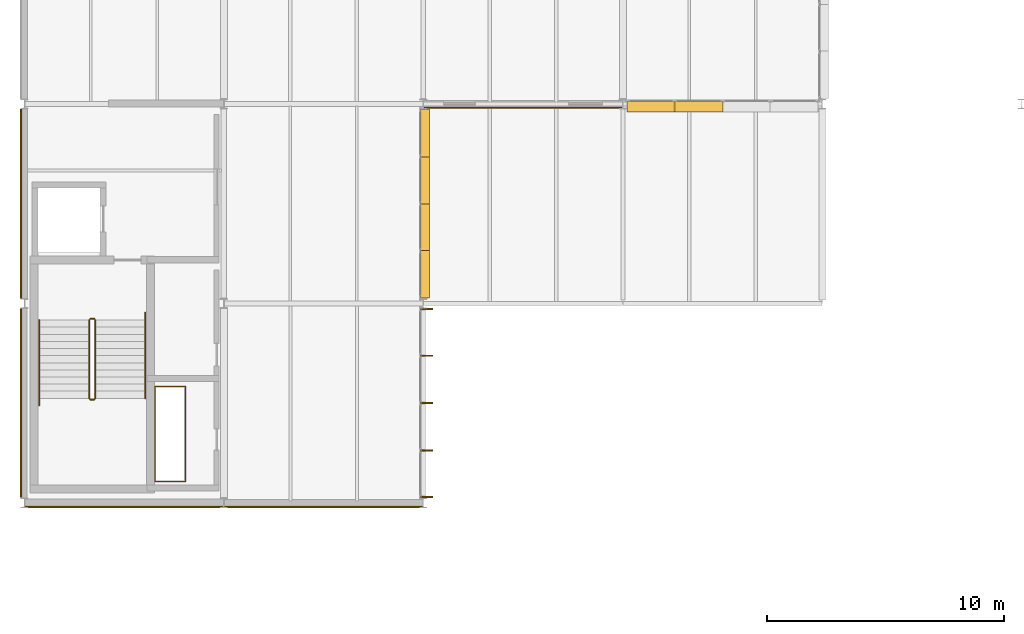
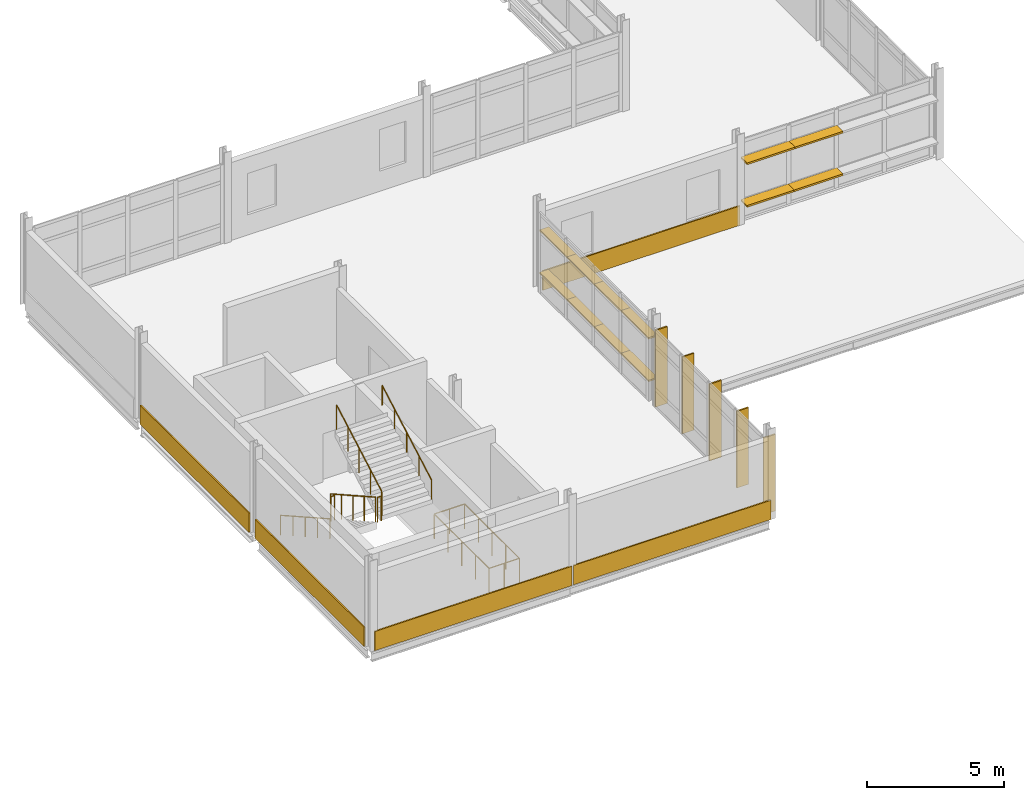
# One storey, part 139 of 151: 17 shading devices, 7 railings, 5 coverings.
"""IFC4 building model written with IfcOpenShell, lengths in metres."""

from ifc_helpers import new_model, si_unit, direction, frame, origin, origin_2d, place, context, subcontext, project, spatial, rectangle, circle, extrude, material, layer, layer_set, type_object, element, save


model = new_model("IFC4")

# Units and contexts
model_context = context("Model", 3, precision=1e-05, world=origin(), true_north=direction((0.0, 1.0)))
body_context = subcontext(model_context, "Body", "Model", "MODEL_VIEW")
ifc_project = project(units=[si_unit("LENGTHUNIT", "METRE"), si_unit("AREAUNIT", "SQUARE_METRE"), si_unit("VOLUMEUNIT", "CUBIC_METRE"), si_unit("PLANEANGLEUNIT", "RADIAN"), si_unit("MASSUNIT", "GRAM", prefix="KILO")], contexts=[model_context])

# Site, building, storey
site_placement = place(None, origin())
site = spatial("IfcSite", under=ifc_project, at=site_placement, CompositionType="ELEMENT")
building_placement = place(site_placement, origin())
building = spatial("IfcBuilding", under=site, at=building_placement, Name="Mersafa Astral City Hall", CompositionType="ELEMENT")
storey_placement = place(building_placement, frame((0.0, 0.0, 9.89990234375)))
storey = spatial("IfcBuildingStorey", under=building, at=storey_placement, Name="L02", CompositionType="ELEMENT", Elevation=9.89990234375)

# Coverings
ifc_material_1 = material(Name="Cairo Mokattam buff limestone cladding", Category="masonry")
ifc_layer = layer(ifc_material_1, 0.06005859375, Name="Cairo Mokattam buff limestone cladding")
ifc_layer_set = layer_set([ifc_layer], Name="Cairo Mokattam buff limestone cladding — ENV-COV-LIMESTONE-60")
covering_type = type_object("IfcCoveringType", Name="ENV-COV-LIMESTONE-60", PredefinedType="CLADDING", material=ifc_layer_set)
for number, where, z_axis, x_axis, name in (
    (1, (8.2529296875, 88.199951171875, 0.0), (0.0, 0.0, 1.0), (0.0, -1.0, 0.0), "L02 Cairo buff limestone rainscreen cladding 195"),
    (2, (8.260498046875, 79.800048828125, 0.0), (0.0, 0.0, 1.0), (0.0, -1.0, 0.0), "L02 Cairo buff limestone rainscreen cladding 196"),
):
    element("IfcCovering", number, at=place(storey_placement, frame(where, z_axis=z_axis, x_axis=x_axis)), inside=storey, type_object=covering_type, Name=name, PredefinedType="CLADDING", context=body_context, shape_type="SweptSolid", body=[
        extrude(rectangle(XDim=7.947998046875, YDim=0.06005859375, at=origin_2d()), origin(), (0.0, 0.0, 1.0), 0.860107421875),
    ])
for number, where, z_axis, x_axis, name in (
    (3, (12.60009765625, 75.423095703125, 0.0), (0.0, 0.0, 1.0), (1.0, 0.0, 0.0), "L02 Cairo buff limestone rainscreen cladding 197"),
    (4, (21.0, 75.430419921875, 0.0), (0.0, 0.0, 1.0), (1.0, 0.0, 0.0), "L02 Cairo buff limestone rainscreen cladding 198"),
    (5, (29.39990234375, 92.238037109375, 0.0), (0.0, 0.0, 1.0), (1.0, 0.0, 0.0), "L02 Cairo buff limestone rainscreen cladding 199"),
):
    element("IfcCovering", number, at=place(storey_placement, frame(where, z_axis=z_axis, x_axis=x_axis)), inside=storey, type_object=covering_type, Name=name, PredefinedType="CLADDING", context=body_context, shape_type="SweptSolid", body=[
        extrude(rectangle(XDim=8.323974609375, YDim=0.06005859375, at=origin_2d()), origin(), (0.0, 0.0, 1.0), 0.860107421875),
    ])

# Shading devices
ifc_material_2 = material(Name="Anodised bronze aluminium solar fin", Category="aluminium")
shading_device_type_1 = type_object("IfcShadingDeviceType", Name="ENV-SHD-FIN-500A", PredefinedType="USERDEFINED", material=ifc_material_2)
for number, where, z_axis, x_axis, name in (
    (6, (25.344970703125, 75.842041015625, -0.01513671875), (0.0, 0.0, 1.0), (0.0, 1.0, 0.0), "L02 Vertical bronze solar fin 847"),
    (7, (25.344970703125, 77.805908203125, -0.01513671875), (0.0, 0.0, 1.0), (0.0, 1.0, 0.0), "L02 Vertical bronze solar fin 848"),
    (8, (25.344970703125, 79.800048828125, -0.01513671875), (0.0, 0.0, 1.0), (0.0, 1.0, 0.0), "L02 Vertical bronze solar fin 849"),
    (9, (25.344970703125, 81.7939453125, -0.01513671875), (0.0, 0.0, 1.0), (0.0, 1.0, 0.0), "L02 Vertical bronze solar fin 850"),
    (10, (25.344970703125, 83.758056640625, -0.01513671875), (0.0, 0.0, 1.0), (0.0, 1.0, 0.0), "L02 Vertical bronze solar fin 851"),
):
    element("IfcShadingDevice", number, at=place(storey_placement, frame(where, z_axis=z_axis, x_axis=x_axis)), inside=storey, type_object=shading_device_type_1, Name=name, ObjectType="FIN", PredefinedType="USERDEFINED", context=body_context, shape_type="SweptSolid", body=[
        extrude(rectangle(XDim=0.06005859375, YDim=0.5, at=origin_2d()), origin(), (0.0, 0.0, 1.0), 3.422119140625),
    ])
ifc_material_3 = material(Name="Kiln-dried cedar timber brise-soleil blade", Category="wood")
shading_device_type_2 = type_object("IfcShadingDeviceType", Name="ENV-SHD-LOUVRE-380", PredefinedType="JALOUSIE", material=ifc_material_3)
shading_device_1_placement = place(storey_placement, frame((25.280029296875, 85.22412109375, 0.81494140625), z_axis=(0.0, 0.0, 1.0), x_axis=(0.0, 1.0, 0.0)))
element("IfcShadingDevice", 11, at=shading_device_1_placement, inside=storey, type_object=shading_device_type_2, Name="L02 Horizontal cedar brise-soleil louvre 852", PredefinedType="JALOUSIE", context=body_context, shape_type="SweptSolid", body=[
    extrude(rectangle(XDim=2.00390625, YDim=0.3798828125, at=origin_2d()), origin(), (0.0, 0.0, 1.0), 0.070068359375),
])
for number, where, z_axis, x_axis, name in (
    (12, (25.280029296875, 87.202880859375, 0.81494140625), (0.0, 0.0, 1.0), (0.0, 1.0, 0.0), "L02 Horizontal cedar brise-soleil louvre 853"),
    (13, (25.280029296875, 89.197021484375, 0.81494140625), (0.0, 0.0, 1.0), (0.0, 1.0, 0.0), "L02 Horizontal cedar brise-soleil louvre 854"),
):
    element("IfcShadingDevice", number, at=place(storey_placement, frame(where, z_axis=z_axis, x_axis=x_axis)), inside=storey, type_object=shading_device_type_2, Name=name, PredefinedType="JALOUSIE", context=body_context, shape_type="SweptSolid", body=[
        extrude(rectangle(XDim=2.033935546875, YDim=0.3798828125, at=origin_2d()), origin(), (0.0, 0.0, 1.0), 0.070068359375),
    ])
for number, where, z_axis, x_axis, name in (
    (14, (25.280029296875, 91.176025390625, 0.81494140625), (0.0, 0.0, 1.0), (0.0, 1.0, 0.0), "L02 Horizontal cedar brise-soleil louvre 855"),
    (15, (25.280029296875, 85.22412109375, 2.71484375), (0.0, 0.0, 1.0), (0.0, 1.0, 0.0), "L02 Horizontal cedar brise-soleil louvre 856"),
):
    element("IfcShadingDevice", number, at=place(storey_placement, frame(where, z_axis=z_axis, x_axis=x_axis)), inside=storey, type_object=shading_device_type_2, Name=name, PredefinedType="JALOUSIE", context=body_context, shape_type="SweptSolid", body=[
        extrude(rectangle(XDim=2.00390625, YDim=0.3798828125, at=origin_2d()), origin(), (0.0, 0.0, 1.0), 0.070068359375),
    ])
for number, where, z_axis, x_axis, name in (
    (16, (25.280029296875, 87.202880859375, 2.71484375), (0.0, 0.0, 1.0), (0.0, 1.0, 0.0), "L02 Horizontal cedar brise-soleil louvre 857"),
    (17, (25.280029296875, 89.197021484375, 2.71484375), (0.0, 0.0, 1.0), (0.0, 1.0, 0.0), "L02 Horizontal cedar brise-soleil louvre 858"),
):
    element("IfcShadingDevice", number, at=place(storey_placement, frame(where, z_axis=z_axis, x_axis=x_axis)), inside=storey, type_object=shading_device_type_2, Name=name, PredefinedType="JALOUSIE", context=body_context, shape_type="SweptSolid", body=[
        extrude(rectangle(XDim=2.033935546875, YDim=0.3798828125, at=origin_2d()), origin(), (0.0, 0.0, 1.0), 0.070068359375),
    ])
shading_device_2_placement = place(storey_placement, frame((25.280029296875, 91.176025390625, 2.71484375), z_axis=(0.0, 0.0, 1.0), x_axis=(0.0, 1.0, 0.0)))
element("IfcShadingDevice", 18, at=shading_device_2_placement, inside=storey, type_object=shading_device_type_2, Name="L02 Horizontal cedar brise-soleil louvre 859", PredefinedType="JALOUSIE", context=body_context, shape_type="SweptSolid", body=[
    extrude(rectangle(XDim=2.00390625, YDim=0.3798828125, at=origin_2d()), origin(), (0.0, 0.0, 1.0), 0.070068359375),
])
shading_device_type_3 = type_object("IfcShadingDeviceType", Name="ENV-SHD-LOUVRE-450", PredefinedType="JALOUSIE", material=ifc_material_3)
shading_device_3_placement = place(storey_placement, frame((34.78662109375, 92.284912109375, 0.81005859375), z_axis=(0.0, 0.0, 1.0), x_axis=(1.0, 0.0, 0.0)))
element("IfcShadingDevice", 19, at=shading_device_3_placement, inside=storey, type_object=shading_device_type_3, Name="L02 Horizontal cedar brise-soleil louvre 860", PredefinedType="JALOUSIE", context=body_context, shape_type="SweptSolid", body=[
    extrude(rectangle(XDim=2.029052734375, YDim=0.449951171875, at=origin_2d()), origin(), (0.0, 0.0, 1.0), 0.080078125),
])
shading_device_4_placement = place(storey_placement, frame((36.79052734375, 92.284912109375, 0.81005859375), z_axis=(0.0, 0.0, 1.0), x_axis=(1.0, 0.0, 0.0)))
element("IfcShadingDevice", 20, at=shading_device_4_placement, inside=storey, type_object=shading_device_type_3, Name="L02 Horizontal cedar brise-soleil louvre 861", PredefinedType="JALOUSIE", context=body_context, shape_type="SweptSolid", body=[
    extrude(rectangle(XDim=2.05908203125, YDim=0.449951171875, at=origin_2d()), origin(), (0.0, 0.0, 1.0), 0.080078125),
])
shading_device_5_placement = place(storey_placement, frame((34.78662109375, 92.284912109375, 2.7099609375), z_axis=(0.0, 0.0, 1.0), x_axis=(1.0, 0.0, 0.0)))
element("IfcShadingDevice", 21, at=shading_device_5_placement, inside=storey, type_object=shading_device_type_3, Name="L02 Horizontal cedar brise-soleil louvre 864", PredefinedType="JALOUSIE", context=body_context, shape_type="SweptSolid", body=[
    extrude(rectangle(XDim=2.029052734375, YDim=0.449951171875, at=origin_2d()), origin(), (0.0, 0.0, 1.0), 0.080078125),
])
shading_device_6_placement = place(storey_placement, frame((36.79052734375, 92.284912109375, 2.7099609375), z_axis=(0.0, 0.0, 1.0), x_axis=(1.0, 0.0, 0.0)))
element("IfcShadingDevice", 22, at=shading_device_6_placement, inside=storey, type_object=shading_device_type_3, Name="L02 Horizontal cedar brise-soleil louvre 865", PredefinedType="JALOUSIE", context=body_context, shape_type="SweptSolid", body=[
    extrude(rectangle(XDim=2.05908203125, YDim=0.449951171875, at=origin_2d()), origin(), (0.0, 0.0, 1.0), 0.080078125),
])

# Railings
ifc_material_4 = material(Name="Painted architectural steel stair guard balustrade", Category="steel")
railing_type_1 = type_object("IfcRailingType", Name="GUARD-RAIL", PredefinedType="BALUSTRADE", material=ifc_material_4)
railing_1_placement = place(storey_placement, frame((11.1298828125, 83.300048828125, 0.1689453125)))
element("IfcRailing", 23, at=railing_1_placement, inside=storey, type_object=railing_type_1, Name="L02 ST6 stair guard 1", PredefinedType="BALUSTRADE", context=body_context, shape_type="SweptSolid", body=[
    extrude(circle(Radius=0.02392578125, at=origin_2d()), frame((0.0, 0.0, 1.09619140625), z_axis=(0.0, -0.871584147158, 0.490245932592), x_axis=(1.0, 0.0, 0.0)), (0.0, 0.0, 1.0), 3.786376953125),
    extrude(circle(Radius=0.02099609375, at=origin_2d()), origin(), (0.0, 0.0, 1.0), 1.072021484375),
    extrude(circle(Radius=0.02099609375, at=origin_2d()), frame((0.0, -0.824951171875, 0.464111328125)), (0.0, 0.0, 1.0), 1.072021484375),
    extrude(circle(Radius=0.02099609375, at=origin_2d()), frame((0.0, -1.64990234375, 0.92822265625)), (0.0, 0.0, 1.0), 1.072021484375),
    extrude(circle(Radius=0.02099609375, at=origin_2d()), frame((0.0, -2.47509765625, 1.39208984375)), (0.0, 0.0, 1.0), 1.072021484375),
    extrude(circle(Radius=0.02099609375, at=origin_2d()), frame((0.0, -3.300048828125, 1.856201171875)), (0.0, 0.0, 1.0), 1.072021484375),
])
railing_2_placement = place(storey_placement, frame((11.179931640625, 79.949951171875, 2.025146484375)))
element("IfcRailing", 24, at=railing_2_placement, inside=storey, type_object=railing_type_1, Name="L02 ST6 stair guard 2", PredefinedType="BALUSTRADE", context=body_context, shape_type="SweptSolid", body=[
    extrude(circle(Radius=0.02392578125, at=origin_2d()), frame((0.0, 0.0, 1.09619140625), z_axis=(1.0, 0.0, 0.0), x_axis=(0.0, 1.0, 0.0)), (0.0, 0.0, 1.0), 0.16015625),
    extrude(circle(Radius=0.02099609375, at=origin_2d()), origin(), (0.0, 0.0, 1.0), 1.072021484375),
    extrude(circle(Radius=0.02099609375, at=origin_2d()), frame((0.16015625, 0.0, 0.0)), (0.0, 0.0, 1.0), 1.072021484375),
])
railing_3_placement = place(storey_placement, frame((11.389892578125, 80.0, 2.19384765625)))
element("IfcRailing", 25, at=railing_3_placement, inside=storey, type_object=railing_type_1, Name="L02 ST6 stair guard 3", PredefinedType="BALUSTRADE", context=body_context, shape_type="SweptSolid", body=[
    extrude(circle(Radius=0.02392578125, at=origin_2d()), frame((0.0, 0.0, 1.09619140625), z_axis=(0.0, 0.871584147158, 0.490245932592), x_axis=(-1.0, 0.0, 0.0)), (0.0, 0.0, 1.0), 3.786376953125),
    extrude(circle(Radius=0.02099609375, at=origin_2d()), origin(), (0.0, 0.0, 1.0), 1.072021484375),
    extrude(circle(Radius=0.02099609375, at=origin_2d()), frame((0.0, 0.824951171875, 0.464111328125)), (0.0, 0.0, 1.0), 1.072021484375),
    extrude(circle(Radius=0.02099609375, at=origin_2d()), frame((0.0, 1.64990234375, 0.92822265625)), (0.0, 0.0, 1.0), 1.072021484375),
    extrude(circle(Radius=0.02099609375, at=origin_2d()), frame((0.0, 2.47509765625, 1.39208984375)), (0.0, 0.0, 1.0), 1.072021484375),
    extrude(circle(Radius=0.02099609375, at=origin_2d()), frame((0.0, 3.300048828125, 1.856201171875)), (0.0, 0.0, 1.0), 1.072021484375),
])
railing_4_placement = place(storey_placement, frame((11.179931640625, 83.35009765625, 0.0)))
element("IfcRailing", 26, at=railing_4_placement, inside=storey, type_object=railing_type_1, Name="L02 ST6 stair guard 4", PredefinedType="BALUSTRADE", context=body_context, shape_type="SweptSolid", body=[
    extrude(circle(Radius=0.02392578125, at=origin_2d()), frame((0.0, 0.0, 1.09619140625), z_axis=(1.0, 0.0, 0.0), x_axis=(0.0, 1.0, 0.0)), (0.0, 0.0, 1.0), 0.16015625),
    extrude(circle(Radius=0.02099609375, at=origin_2d()), origin(), (0.0, 0.0, 1.0), 1.072021484375),
    extrude(circle(Radius=0.02099609375, at=origin_2d()), frame((0.16015625, 0.0, 0.0)), (0.0, 0.0, 1.0), 1.072021484375),
])
railing_5_placement = place(storey_placement, frame((13.89990234375, 76.5, 0.0)))
element("IfcRailing", 27, at=railing_5_placement, inside=storey, type_object=railing_type_1, Name="L02 K6 MEP Riser Shaft Guard", PredefinedType="BALUSTRADE", context=body_context, shape_type="SweptSolid", body=[
    extrude(circle(Radius=0.02392578125, at=origin_2d()), frame((0.0, 0.0, 1.09619140625), z_axis=(1.0, 0.0, 0.0), x_axis=(0.0, 1.0, 0.0)), (0.0, 0.0, 1.0), 1.280029296875),
    extrude(circle(Radius=0.02392578125, at=origin_2d()), frame((1.280029296875, 0.0, 1.09619140625), z_axis=(0.0, 1.0, 0.0), x_axis=(-1.0, 0.0, 0.0)), (0.0, 0.0, 1.0), 4.0),
    extrude(circle(Radius=0.02392578125, at=origin_2d()), frame((1.280029296875, 4.0, 1.09619140625), z_axis=(-1.0, 0.0, 0.0), x_axis=(0.0, -1.0, 0.0)), (0.0, 0.0, 1.0), 1.280029296875),
    extrude(circle(Radius=0.02392578125, at=origin_2d()), frame((0.0, 4.0, 1.09619140625), z_axis=(0.0, -1.0, 0.0), x_axis=(1.0, 0.0, 0.0)), (0.0, 0.0, 1.0), 4.0),
    extrude(circle(Radius=0.02099609375, at=origin_2d()), origin(), (0.0, 0.0, 1.0), 1.072021484375),
    extrude(circle(Radius=0.02099609375, at=origin_2d()), frame((0.64013671875, 0.0, 0.0)), (0.0, 0.0, 1.0), 1.072021484375),
    extrude(circle(Radius=0.02099609375, at=origin_2d()), frame((1.280029296875, 0.0, 0.0)), (0.0, 0.0, 1.0), 1.072021484375),
    extrude(circle(Radius=0.02099609375, at=origin_2d()), frame((1.280029296875, 1.0, 0.0)), (0.0, 0.0, 1.0), 1.072021484375),
    extrude(circle(Radius=0.02099609375, at=origin_2d()), frame((1.280029296875, 2.0, 0.0)), (0.0, 0.0, 1.0), 1.072021484375),
    extrude(circle(Radius=0.02099609375, at=origin_2d()), frame((1.280029296875, 3.0, 0.0)), (0.0, 0.0, 1.0), 1.072021484375),
    extrude(circle(Radius=0.02099609375, at=origin_2d()), frame((1.280029296875, 4.0, 0.0)), (0.0, 0.0, 1.0), 1.072021484375),
    extrude(circle(Radius=0.02099609375, at=origin_2d()), frame((0.64013671875, 4.0, 0.0)), (0.0, 0.0, 1.0), 1.072021484375),
    extrude(circle(Radius=0.02099609375, at=origin_2d()), frame((0.0, 4.0, 0.0)), (0.0, 0.0, 1.0), 1.072021484375),
    extrude(circle(Radius=0.02099609375, at=origin_2d()), frame((0.0, 3.0, 0.0)), (0.0, 0.0, 1.0), 1.072021484375),
    extrude(circle(Radius=0.02099609375, at=origin_2d()), frame((0.0, 2.0, 0.0)), (0.0, 0.0, 1.0), 1.072021484375),
    extrude(circle(Radius=0.02099609375, at=origin_2d()), frame((0.0, 1.0, 0.0)), (0.0, 0.0, 1.0), 1.072021484375),
])
ifc_material_5 = material(Name="Brushed stainless steel tubular handrail", Category="steel")
railing_type_2 = type_object("IfcRailingType", Name="HANDRAIL", PredefinedType="HANDRAIL", material=ifc_material_5)
railing_6_placement = place(storey_placement, frame((9.030029296875, 83.300048828125, 0.1689453125)))
element("IfcRailing", 28, at=railing_6_placement, inside=storey, type_object=railing_type_2, Name="L02 ST6 stair handrail 1", PredefinedType="HANDRAIL", context=body_context, shape_type="SweptSolid", body=[
    extrude(circle(Radius=0.02392578125, at=origin_2d()), frame((0.0, 0.0, 0.8759765625), z_axis=(0.0, -0.871288196072, 0.4907717182), x_axis=(1.0, 0.0, 0.0)), (0.0, 0.0, 1.0), 4.1318359375),
    extrude(circle(Radius=0.02099609375, at=origin_2d()), origin(), (0.0, 0.0, 1.0), 0.851806640625),
    extrude(circle(Radius=0.02099609375, at=origin_2d()), frame((0.0, -0.89990234375, 0.5068359375)), (0.0, 0.0, 1.0), 0.851806640625),
    extrude(circle(Radius=0.02099609375, at=origin_2d()), frame((0.0, -1.800048828125, 1.013916015625)), (0.0, 0.0, 1.0), 0.851806640625),
    extrude(circle(Radius=0.02099609375, at=origin_2d()), frame((0.0, -2.7001953125, 1.52099609375)), (0.0, 0.0, 1.0), 0.851806640625),
    extrude(circle(Radius=0.02099609375, at=origin_2d()), frame((0.0, -3.60009765625, 2.02783203125)), (0.0, 0.0, 1.0), 0.851806640625),
])
railing_7_placement = place(storey_placement, frame((13.489990234375, 80.0, 2.19384765625)))
element("IfcRailing", 29, at=railing_7_placement, inside=storey, type_object=railing_type_2, Name="L02 ST6 stair handrail 2", PredefinedType="HANDRAIL", context=body_context, shape_type="SweptSolid", body=[
    extrude(circle(Radius=0.02392578125, at=origin_2d()), frame((0.0, 0.0, 0.8759765625), z_axis=(0.0, 0.871262930089, 0.49081657129), x_axis=(-1.0, 0.0, 0.0)), (0.0, 0.0, 1.0), 4.132080078125),
    extrude(circle(Radius=0.02099609375, at=origin_2d()), origin(), (0.0, 0.0, 1.0), 0.851806640625),
    extrude(circle(Radius=0.02099609375, at=origin_2d()), frame((0.0, 0.89990234375, 0.507080078125)), (0.0, 0.0, 1.0), 0.851806640625),
    extrude(circle(Radius=0.02099609375, at=origin_2d()), frame((0.0, 1.800048828125, 1.01416015625)), (0.0, 0.0, 1.0), 0.851806640625),
    extrude(circle(Radius=0.02099609375, at=origin_2d()), frame((0.0, 2.7001953125, 1.52099609375)), (0.0, 0.0, 1.0), 0.851806640625),
    extrude(circle(Radius=0.02099609375, at=origin_2d()), frame((0.0, 3.60009765625, 2.028076171875)), (0.0, 0.0, 1.0), 0.851806640625),
])

save(model, "model.ifc")
